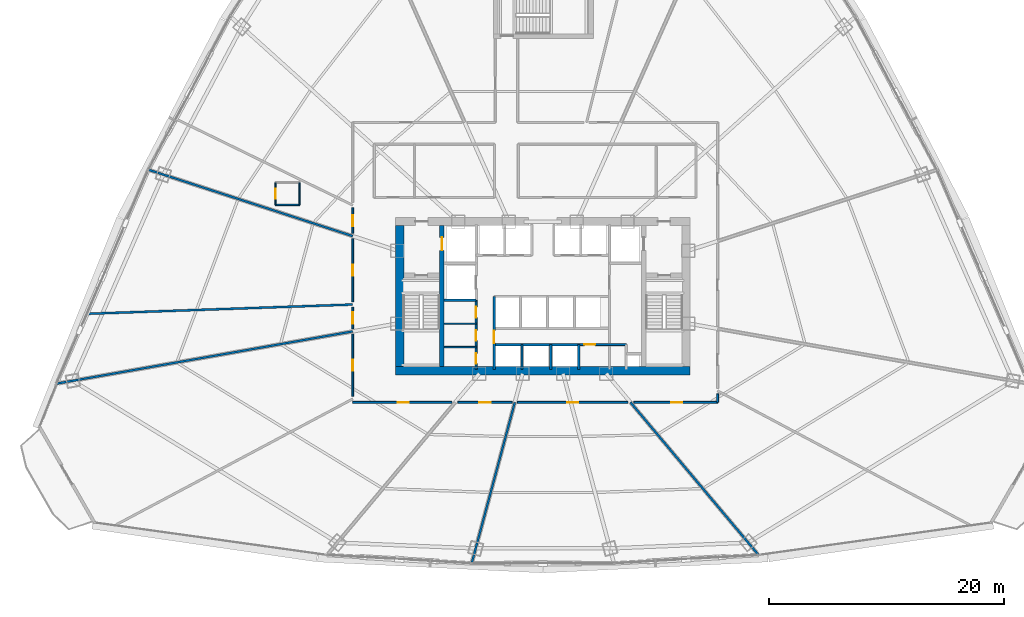
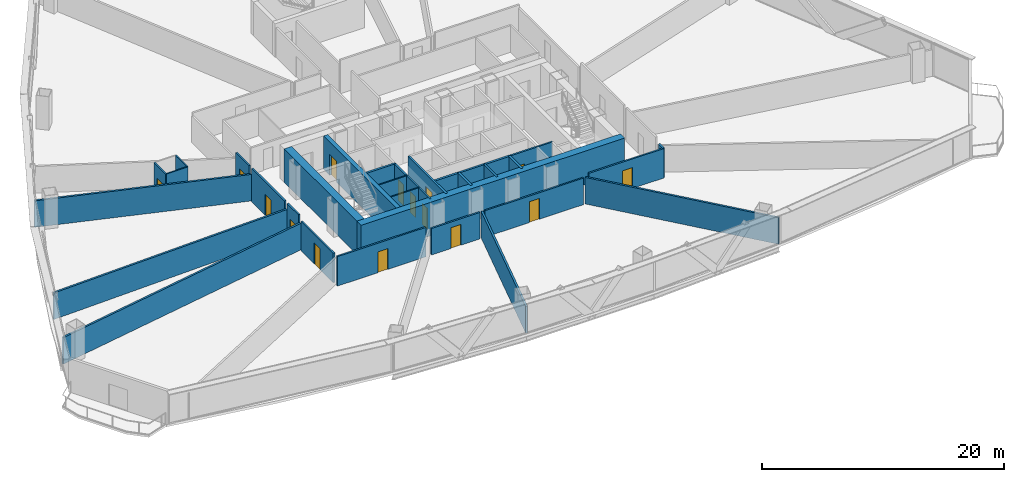
# One storey, part 29 of 37: 30 walls, 15 doors, 15 openings.
"""IFC4 building model written with IfcOpenShell, lengths in metres."""

from ifc_helpers import new_model, si_unit, direction, frame, frame_2d, origin, origin_with_axes, place, context, subcontext, project, spatial, rectangle, extrude, source, transform, mapped, material, layer, layer_set, type_object, element, fill, save


model = new_model("IFC4")

# Units and contexts
model_context = context("Model", 3, precision=1e-05, world=origin(), true_north=direction((0.0, 1.0)))
body_context = subcontext(model_context, "Body", "Model", "MODEL_VIEW")
ifc_project = project(units=[si_unit("LENGTHUNIT", "METRE"), si_unit("AREAUNIT", "SQUARE_METRE"), si_unit("VOLUMEUNIT", "CUBIC_METRE"), si_unit("PLANEANGLEUNIT", "RADIAN"), si_unit("MASSUNIT", "GRAM", prefix="KILO"), si_unit("THERMODYNAMICTEMPERATUREUNIT", "KELVIN"), si_unit("POWERUNIT", "WATT")], contexts=[model_context])

# Site, building, storey
site_placement = place(None, origin())
site = spatial("IfcSite", under=ifc_project, at=site_placement, CompositionType="ELEMENT")
building_placement = place(site_placement, origin())
building = spatial("IfcBuilding", under=site, at=building_placement, Name="Yunzhuo Pagoda Commons", CompositionType="ELEMENT")
storey_placement = place(building_placement, frame((0.0, 0.0, 55.81005859375)))
storey = spatial("IfcBuildingStorey", under=building, at=storey_placement, Name="L14", CompositionType="ELEMENT", Elevation=55.81005859375)

# Walls
ifc_material_1 = material(Name="Concrete C60", Category="concrete")
ifc_layer_1 = layer(ifc_material_1, 0.699951171875)
ifc_layer_set_1 = layer_set([ifc_layer_1], Name="Concrete C60")
wall_type_1 = type_object("IfcWallType", Name="W-C01 Lower Core Shear Wall 700", PredefinedType="SHEAR", material=ifc_layer_set_1)
wall_1_placement = place(storey_placement, frame((35.449951171875, 27.5, 0.0), z_axis=(0.0, 0.0, 1.0), x_axis=(1.0, 0.0, 0.0)))
element("IfcWall", 1, at=wall_1_placement, inside=storey, type_object=wall_type_1, Name="L14 core shear wall S", PredefinedType="SHEAR", context=body_context, shape_type="SweptSolid", body=[
    extrude(rectangle(XDim=25.10009765625, YDim=0.699951171875, at=frame_2d((12.550048828125, 0.0))), origin(), (0.0, 0.0, 1.0), 3.369873046875),
])
wall_2_placement = place(storey_placement, frame((35.800048828125, 27.85009765625, 0.0), z_axis=(0.0, 0.0, 1.0), x_axis=(0.0, 1.0, 0.0)))
element("IfcWall", 2, at=wall_2_placement, inside=storey, type_object=wall_type_1, Name="L14 core shear wall W", PredefinedType="SHEAR", context=body_context, shape_type="SweptSolid", body=[
    extrude(rectangle(XDim=12.0, YDim=0.699951171875, at=frame_2d((6.0, 0.0))), origin(), (0.0, 0.0, 1.0), 3.369873046875),
])

# Wall, openings, doors
ifc_material_2 = material(Name="Gypsum plasterboard on acoustic stud")
ifc_layer_2 = layer(ifc_material_2, 0.159912109375)
ifc_layer_set_2 = layer_set([ifc_layer_2], Name="Gypsum plasterboard on acoustic stud")
wall_type_2 = type_object("IfcWallType", Name="W-COR1 Tower Rated Corridor Wall 160", PredefinedType="PARTITIONING", material=ifc_layer_set_2)
wall_3_placement = place(storey_placement, frame((42.320068359375, 27.60009765625, 0.0), z_axis=(0.0, 0.0, 1.0), x_axis=(0.0, 1.0, 0.0)))
wall_3 = element("IfcWall", 3, at=wall_3_placement, inside=storey, type_object=wall_type_2, Name="L14 interior wall IW-L14-CSWE", PredefinedType="PARTITIONING", context=body_context, shape_type="SweptSolid", body=[
    extrude(rectangle(XDim=5.89990234375, YDim=0.159912109375, at=frame_2d((2.949951171875, 0.0))), origin(), (0.0, 0.0, 1.0), 3.369873046875),
])
opening_1_placement = place(wall_3_placement, frame((0.5, 0.0, 0.0)))
opening_1 = element("IfcOpeningElement", 4, at=opening_1_placement, cuts=wall_3, Name="Opening D-03", PredefinedType="OPENING", context=body_context, shape_type="SweptSolid", body=[
    extrude(rectangle(XDim=0.89990234375, YDim=2.10009765625, at=frame_2d((0.449951171875, 1.050048828125))), frame((0.0, 0.08984375, 0.0), z_axis=(0.0, -1.0, 0.0), x_axis=(1.0, 0.0, 0.0)), (0.0, 0.0, 1.0), 0.179931640625),
])
opening_2_placement = place(wall_3_placement, frame((2.449951171875, 0.0, 0.0)))
opening_2 = element("IfcOpeningElement", 5, at=opening_2_placement, cuts=wall_3, Name="Opening D-03", PredefinedType="OPENING", context=body_context, shape_type="SweptSolid", body=[
    extrude(rectangle(XDim=0.89990234375, YDim=2.10009765625, at=frame_2d((0.449951171875, 1.050048828125))), frame((0.0, 0.08984375, 0.0), z_axis=(0.0, -1.0, 0.0), x_axis=(1.0, 0.0, 0.0)), (0.0, 0.0, 1.0), 0.179931640625),
])
opening_3_placement = place(wall_3_placement, frame((4.419921875, 0.0, 0.0)))
opening_3 = element("IfcOpeningElement", 6, at=opening_3_placement, cuts=wall_3, Name="Opening D-11", PredefinedType="OPENING", context=body_context, shape_type="SweptSolid", body=[
    extrude(rectangle(XDim=0.93994140625, YDim=2.10009765625, at=frame_2d((0.469970703125, 1.050048828125))), frame((0.0, 0.08984375, 0.0), z_axis=(0.0, -1.0, 0.0), x_axis=(1.0, 0.0, 0.0)), (0.0, 0.0, 1.0), 0.179931640625),
])
ifc_material_3 = material(Name="Galvanized fire-resisting metal leaf")
door_type_1 = type_object("IfcDoorType", Name="D-03 Core Service Fire Door 900x2100", OperationType="NOTDEFINED", PredefinedType="DOOR", material=ifc_material_3)
shared_shape_1 = source(origin(), body_context, "Body", "SweptSolid", [
    extrude(rectangle(XDim=0.89990234375, YDim=2.10009765625, at=frame_2d((0.449951171875, 1.050048828125))), frame((0.0, 0.02490234375, 0.0), z_axis=(0.0, -1.0, 0.0), x_axis=(1.0, 0.0, 0.0)), (0.0, 0.0, 1.0), 0.050048828125),
])
door_1_placement = place(opening_1_placement, origin_with_axes())
door_1 = element("IfcDoor", 7, at=door_1_placement, inside=storey, type_object=door_type_1, Name="L14 switch door", OperationType="SINGLE_SWING_RIGHT", OverallHeight=2.10009765625, OverallWidth=0.89990234375, PredefinedType="DOOR", context=body_context, shape_type="MappedRepresentation", body=[
    mapped(shared_shape_1, transform((0.0, 0.0, 0.0), scale=1.0)),
])
fill(opening_1, door_1)
door_2_placement = place(opening_2_placement, origin_with_axes())
door_2 = element("IfcDoor", 8, at=door_2_placement, inside=storey, type_object=door_type_1, Name="L14 cleaner door", OperationType="SINGLE_SWING_RIGHT", OverallHeight=2.10009765625, OverallWidth=0.89990234375, PredefinedType="DOOR", context=body_context, shape_type="MappedRepresentation", body=[
    mapped(shared_shape_1, transform((0.0, 0.0, 0.0), scale=1.0)),
])
fill(opening_2, door_2)
door_type_2 = type_object("IfcDoorType", Name="D-11 Accessible Washroom Fire Door 940x2100", OperationType="NOTDEFINED", PredefinedType="DOOR", material=ifc_material_3)
shared_shape_2 = source(origin(), body_context, "Body", "SweptSolid", [
    extrude(rectangle(XDim=0.93994140625, YDim=2.10009765625, at=frame_2d((0.469970703125, 1.050048828125))), frame((0.0, 0.02490234375, 0.0), z_axis=(0.0, -1.0, 0.0), x_axis=(1.0, 0.0, 0.0)), (0.0, 0.0, 1.0), 0.050048828125),
])
door_3_placement = place(opening_3_placement, origin_with_axes())
door_3 = element("IfcDoor", 9, at=door_3_placement, inside=storey, type_object=door_type_2, Name="L14 core WC door", OperationType="SINGLE_SWING_LEFT", OverallHeight=2.10009765625, OverallWidth=0.93994140625, PredefinedType="DOOR", context=body_context, shape_type="MappedRepresentation", body=[
    mapped(shared_shape_2, transform((0.0, 0.0, 0.0), scale=1.0)),
])
fill(opening_3, door_3)

# Wall, opening, door
wall_4_placement = place(storey_placement, frame((51.050048828125, 29.719970703125, 0.0), z_axis=(0.0, 0.0, 1.0), x_axis=(1.0, 0.0, 0.0)))
wall_4 = element("IfcWall", 10, at=wall_4_placement, inside=storey, type_object=wall_type_2, Name="L14 interior wall IW-L14-CSES", PredefinedType="PARTITIONING", context=body_context, shape_type="SweptSolid", body=[
    extrude(rectangle(XDim=4.070068359375, YDim=0.159912109375, at=frame_2d((2.03515625, 0.0))), origin(), (0.0, 0.0, 1.0), 3.369873046875),
])
opening_4_placement = place(wall_4_placement, frame((0.5, 0.0, 0.0)))
opening_4 = element("IfcOpeningElement", 11, at=opening_4_placement, cuts=wall_4, Name="Opening D-03", PredefinedType="OPENING", context=body_context, shape_type="SweptSolid", body=[
    extrude(rectangle(XDim=0.89990234375, YDim=2.10009765625, at=frame_2d((0.449951171875, 1.050048828125))), frame((0.0, 0.08984375, 0.0), z_axis=(0.0, -1.0, 0.0), x_axis=(1.0, 0.0, 0.0)), (0.0, 0.0, 1.0), 0.179931640625),
])
door_4_placement = place(opening_4_placement, origin_with_axes())
door_4 = element("IfcDoor", 12, at=door_4_placement, inside=storey, type_object=door_type_1, Name="L14 core pantry door", OperationType="SINGLE_SWING_RIGHT", OverallHeight=2.10009765625, OverallWidth=0.89990234375, PredefinedType="DOOR", context=body_context, shape_type="MappedRepresentation", body=[
    mapped(shared_shape_1, transform((0.0, 0.0, 0.0), scale=1.0)),
])
fill(opening_4, door_4)

wall_5_placement = place(storey_placement, frame((31.800048828125, 25.306396484375, 0.0), z_axis=(0.0, 0.0, 1.0), x_axis=(0.0, 1.0, 0.0)))
wall_5 = element("IfcWall", 13, at=wall_5_placement, inside=storey, type_object=wall_type_2, Name="L14 interior wall IW-L14-CWL01", PredefinedType="PARTITIONING", context=body_context, shape_type="SweptSolid", body=[
    extrude(rectangle(XDim=5.313720703125, YDim=0.159912109375, at=frame_2d((2.65673828125, 0.0))), origin(), (0.0, 0.0, 1.0), 2.969970703125),
])
opening_5_placement = place(wall_5_placement, frame((2.18359375, 0.0, 0.0)))
opening_5 = element("IfcOpeningElement", 14, at=opening_5_placement, cuts=wall_5, Name="Opening D-06", PredefinedType="OPENING", context=body_context, shape_type="SweptSolid", body=[
    extrude(rectangle(XDim=0.949951171875, YDim=2.10009765625, at=frame_2d((0.47509765625, 1.050048828125))), frame((0.0, 0.08984375, 0.0), z_axis=(0.0, -1.0, 0.0), x_axis=(1.0, 0.0, 0.0)), (0.0, 0.0, 1.0), 0.179931640625),
])
door_type_3 = type_object("IfcDoorType", Name="D-06 Co-Living Suite Entrance Fire Door 950x2100", OperationType="NOTDEFINED", PredefinedType="DOOR", material=ifc_material_3)
shared_shape_3 = source(origin(), body_context, "Body", "SweptSolid", [
    extrude(rectangle(XDim=0.949951171875, YDim=2.10009765625, at=frame_2d((0.47509765625, 1.050048828125))), frame((0.0, 0.02490234375, 0.0), z_axis=(0.0, -1.0, 0.0), x_axis=(1.0, 0.0, 0.0)), (0.0, 0.0, 1.0), 0.050048828125),
])
door_5_placement = place(opening_5_placement, origin_with_axes())
door_5 = element("IfcDoor", 15, at=door_5_placement, inside=storey, type_object=door_type_3, Name="L14 unit 09 entrance door", OperationType="SINGLE_SWING_LEFT", OverallHeight=2.10009765625, OverallWidth=0.949951171875, PredefinedType="DOOR", context=body_context, shape_type="MappedRepresentation", body=[
    mapped(shared_shape_3, transform((0.0, 0.0, 0.0), scale=1.0)),
])
fill(opening_5, door_5)

wall_6_placement = place(storey_placement, frame((31.800048828125, 31.063232421875, 0.0), z_axis=(0.0, 0.0, 1.0), x_axis=(0.0, 1.0, 0.0)))
wall_6 = element("IfcWall", 16, at=wall_6_placement, inside=storey, type_object=wall_type_2, Name="L14 interior wall IW-L14-CWL02", PredefinedType="PARTITIONING", context=body_context, shape_type="SweptSolid", body=[
    extrude(rectangle(XDim=1.85107421875, YDim=0.159912109375, at=frame_2d((0.925537109375, 0.0))), origin(), (0.0, 0.0, 1.0), 3.369873046875),
])
opening_6_placement = place(wall_6_placement, frame((0.45068359375, 0.0, 0.0)))
opening_6 = element("IfcOpeningElement", 17, at=opening_6_placement, cuts=wall_6, Name="Opening D-06", PredefinedType="OPENING", context=body_context, shape_type="SweptSolid", body=[
    extrude(rectangle(XDim=0.949951171875, YDim=2.10009765625, at=frame_2d((0.47509765625, 1.050048828125))), frame((0.0, 0.08984375, 0.0), z_axis=(0.0, -1.0, 0.0), x_axis=(1.0, 0.0, 0.0)), (0.0, 0.0, 1.0), 0.179931640625),
])
door_6_placement = place(opening_6_placement, origin_with_axes())
door_6 = element("IfcDoor", 18, at=door_6_placement, inside=storey, type_object=door_type_3, Name="L14 unit 08 entrance door", OperationType="SINGLE_SWING_RIGHT", OverallHeight=2.10009765625, OverallWidth=0.949951171875, PredefinedType="DOOR", context=body_context, shape_type="MappedRepresentation", body=[
    mapped(shared_shape_3, transform((0.0, 0.0, 0.0), scale=1.0)),
])
fill(opening_6, door_6)

wall_7_placement = place(storey_placement, frame((31.800048828125, 33.35400390625, 0.0), z_axis=(0.0, 0.0, 1.0), x_axis=(0.0, 1.0, 0.0)))
wall_7 = element("IfcWall", 19, at=wall_7_placement, inside=storey, type_object=wall_type_2, Name="L14 interior wall IW-L14-CWL03", PredefinedType="PARTITIONING", context=body_context, shape_type="SweptSolid", body=[
    extrude(rectangle(XDim=5.389892578125, YDim=0.159912109375, at=frame_2d((2.69482421875, 0.0))), origin(), (0.0, 0.0, 1.0), 3.369873046875),
])
opening_7_placement = place(wall_7_placement, frame((2.219970703125, 0.0, 0.0)))
opening_7 = element("IfcOpeningElement", 20, at=opening_7_placement, cuts=wall_7, Name="Opening D-06", PredefinedType="OPENING", context=body_context, shape_type="SweptSolid", body=[
    extrude(rectangle(XDim=0.949951171875, YDim=2.10009765625, at=frame_2d((0.47509765625, 1.050048828125))), frame((0.0, 0.08984375, 0.0), z_axis=(0.0, -1.0, 0.0), x_axis=(1.0, 0.0, 0.0)), (0.0, 0.0, 1.0), 0.179931640625),
])
door_7_placement = place(opening_7_placement, origin_with_axes())
door_7 = element("IfcDoor", 21, at=door_7_placement, inside=storey, type_object=door_type_3, Name="L14 unit 07 entrance door", OperationType="SINGLE_SWING_LEFT", OverallHeight=2.10009765625, OverallWidth=0.949951171875, PredefinedType="DOOR", context=body_context, shape_type="MappedRepresentation", body=[
    mapped(shared_shape_3, transform((0.0, 0.0, 0.0), scale=1.0)),
])
fill(opening_7, door_7)

wall_8_placement = place(storey_placement, frame((31.800048828125, 39.195068359375, 0.0), z_axis=(0.0, 0.0, 1.0), x_axis=(0.0, 1.0, 0.0)))
wall_8 = element("IfcWall", 22, at=wall_8_placement, inside=storey, type_object=wall_type_2, Name="L14 interior wall IW-L14-CWL04", PredefinedType="PARTITIONING", context=body_context, shape_type="SweptSolid", body=[
    extrude(rectangle(XDim=2.1865234375, YDim=0.159912109375, at=frame_2d((1.09326171875, 0.0))), origin(), (0.0, 0.0, 1.0), 3.369873046875),
])
opening_8_placement = place(wall_8_placement, frame((0.612548828125, 0.0, 0.0)))
opening_8 = element("IfcOpeningElement", 23, at=opening_8_placement, cuts=wall_8, Name="Opening D-06", PredefinedType="OPENING", context=body_context, shape_type="SweptSolid", body=[
    extrude(rectangle(XDim=0.949951171875, YDim=2.10009765625, at=frame_2d((0.47509765625, 1.050048828125))), frame((0.0, 0.08984375, 0.0), z_axis=(0.0, -1.0, 0.0), x_axis=(1.0, 0.0, 0.0)), (0.0, 0.0, 1.0), 0.179931640625),
])
door_8_placement = place(opening_8_placement, origin_with_axes())
door_8 = element("IfcDoor", 24, at=door_8_placement, inside=storey, type_object=door_type_3, Name="L14 unit 06 entrance door", OperationType="SINGLE_SWING_RIGHT", OverallHeight=2.10009765625, OverallWidth=0.949951171875, PredefinedType="DOOR", context=body_context, shape_type="MappedRepresentation", body=[
    mapped(shared_shape_3, transform((0.0, 0.0, 0.0), scale=1.0)),
])
fill(opening_8, door_8)

# Wall
wall_9_placement = place(storey_placement, frame((62.89990234375, 25.5283203125, 0.0), z_axis=(0.0, 0.0, 1.0), x_axis=(0.0, -1.0, 0.0)))
element("IfcWall", 25, at=wall_9_placement, inside=storey, type_object=wall_type_2, Name="L14 interior wall IW-L14-CWL16", PredefinedType="PARTITIONING", context=body_context, shape_type="SweptSolid", body=[
    extrude(rectangle(XDim=0.728271484375, YDim=0.159912109375, at=frame_2d((0.3642578125, 0.0))), origin(), (0.0, 0.0, 1.0), 2.969970703125),
])

# Wall, opening, door
wall_10_placement = place(storey_placement, frame((62.89990234375, 24.800048828125, 0.0), z_axis=(0.0, 0.0, 1.0), x_axis=(-1.0, 0.0, 0.0)))
wall_10 = element("IfcWall", 26, at=wall_10_placement, inside=storey, type_object=wall_type_2, Name="L14 interior wall IW-L14-CWL17", PredefinedType="PARTITIONING", context=body_context, shape_type="SweptSolid", body=[
    extrude(rectangle(XDim=7.144775390625, YDim=0.159912109375, at=frame_2d((3.572265625, 0.0))), origin(), (0.0, 0.0, 1.0), 2.969970703125),
])
opening_9_placement = place(wall_10_placement, frame((3.010986328125, 0.0, 0.0)))
opening_9 = element("IfcOpeningElement", 27, at=opening_9_placement, cuts=wall_10, Name="Opening D-06", PredefinedType="OPENING", context=body_context, shape_type="SweptSolid", body=[
    extrude(rectangle(XDim=0.949951171875, YDim=2.10009765625, at=frame_2d((0.47509765625, 1.050048828125))), frame((0.0, 0.08984375, 0.0), z_axis=(0.0, -1.0, 0.0), x_axis=(1.0, 0.0, 0.0)), (0.0, 0.0, 1.0), 0.179931640625),
])
door_9_placement = place(opening_9_placement, origin_with_axes())
door_9 = element("IfcDoor", 28, at=door_9_placement, inside=storey, type_object=door_type_3, Name="L14 unit 13 entrance door", OperationType="SINGLE_SWING_LEFT", OverallHeight=2.10009765625, OverallWidth=0.949951171875, PredefinedType="DOOR", context=body_context, shape_type="MappedRepresentation", body=[
    mapped(shared_shape_3, transform((0.0, 0.0, 0.0), scale=1.0)),
])
fill(opening_9, door_9)

wall_11_placement = place(storey_placement, frame((55.248046875, 24.800048828125, 0.0), z_axis=(0.0, 0.0, 1.0), x_axis=(-1.0, 0.0, 0.0)))
wall_11 = element("IfcWall", 29, at=wall_11_placement, inside=storey, type_object=wall_type_2, Name="L14 interior wall IW-L14-CWL18", PredefinedType="PARTITIONING", context=body_context, shape_type="SweptSolid", body=[
    extrude(rectangle(XDim=9.412841796875, YDim=0.159912109375, at=frame_2d((4.70654296875, 0.0))), origin(), (0.0, 0.0, 1.0), 2.669921875),
])
opening_10_placement = place(wall_11_placement, frame((4.2314453125, 0.0, 0.0)))
opening_10 = element("IfcOpeningElement", 30, at=opening_10_placement, cuts=wall_11, Name="Opening D-06", PredefinedType="OPENING", context=body_context, shape_type="SweptSolid", body=[
    extrude(rectangle(XDim=0.949951171875, YDim=2.10009765625, at=frame_2d((0.47509765625, 1.050048828125))), frame((0.0, 0.08984375, 0.0), z_axis=(0.0, -1.0, 0.0), x_axis=(1.0, 0.0, 0.0)), (0.0, 0.0, 1.0), 0.179931640625),
])
door_10_placement = place(opening_10_placement, origin_with_axes())
door_10 = element("IfcDoor", 31, at=door_10_placement, inside=storey, type_object=door_type_3, Name="L14 Academic Reading Commons 2 door", OperationType="SINGLE_SWING_RIGHT", OverallHeight=2.10009765625, OverallWidth=0.949951171875, PredefinedType="DOOR", context=body_context, shape_type="MappedRepresentation", body=[
    mapped(shared_shape_3, transform((0.0, 0.0, 0.0), scale=1.0)),
])
fill(opening_10, door_10)

wall_12_placement = place(storey_placement, frame((45.387451171875, 24.800048828125, 0.0), z_axis=(0.0, 0.0, 1.0), x_axis=(-1.0, 0.0, 0.0)))
wall_12 = element("IfcWall", 32, at=wall_12_placement, inside=storey, type_object=wall_type_2, Name="L14 interior wall IW-L14-CWL19", PredefinedType="PARTITIONING", context=body_context, shape_type="SweptSolid", body=[
    extrude(rectangle(XDim=4.635498046875, YDim=0.159912109375, at=frame_2d((2.31787109375, 0.0))), origin(), (0.0, 0.0, 1.0), 2.669921875),
])
opening_11_placement = place(wall_12_placement, frame((1.8388671875, 0.0, 0.0)))
opening_11 = element("IfcOpeningElement", 33, at=opening_11_placement, cuts=wall_12, Name="Opening D-06", PredefinedType="OPENING", context=body_context, shape_type="SweptSolid", body=[
    extrude(rectangle(XDim=0.949951171875, YDim=2.10009765625, at=frame_2d((0.47509765625, 1.050048828125))), frame((0.0, 0.08984375, 0.0), z_axis=(0.0, -1.0, 0.0), x_axis=(1.0, 0.0, 0.0)), (0.0, 0.0, 1.0), 0.179931640625),
])
door_11_placement = place(opening_11_placement, origin_with_axes())
door_11 = element("IfcDoor", 34, at=door_11_placement, inside=storey, type_object=door_type_3, Name="L14 unit 11 entrance door", OperationType="SINGLE_SWING_LEFT", OverallHeight=2.10009765625, OverallWidth=0.949951171875, PredefinedType="DOOR", context=body_context, shape_type="MappedRepresentation", body=[
    mapped(shared_shape_3, transform((0.0, 0.0, 0.0), scale=1.0)),
])
fill(opening_11, door_11)

wall_13_placement = place(storey_placement, frame((40.244873046875, 24.800048828125, 0.0), z_axis=(0.0, 0.0, 1.0), x_axis=(-1.0, 0.0, 0.0)))
wall_13 = element("IfcWall", 35, at=wall_13_placement, inside=storey, type_object=wall_type_2, Name="L14 interior wall IW-L14-CWL20", PredefinedType="PARTITIONING", context=body_context, shape_type="SweptSolid", body=[
    extrude(rectangle(XDim=8.44482421875, YDim=0.159912109375, at=frame_2d((4.222412109375, 0.0))), origin(), (0.0, 0.0, 1.0), 2.969970703125),
])
opening_12_placement = place(wall_13_placement, frame((3.654052734375, 0.0, 0.0)))
opening_12 = element("IfcOpeningElement", 36, at=opening_12_placement, cuts=wall_13, Name="Opening D-06", PredefinedType="OPENING", context=body_context, shape_type="SweptSolid", body=[
    extrude(rectangle(XDim=0.949951171875, YDim=2.10009765625, at=frame_2d((0.47509765625, 1.050048828125))), frame((0.0, 0.08984375, 0.0), z_axis=(0.0, -1.0, 0.0), x_axis=(1.0, 0.0, 0.0)), (0.0, 0.0, 1.0), 0.179931640625),
])
door_12_placement = place(opening_12_placement, origin_with_axes())
door_12 = element("IfcDoor", 37, at=door_12_placement, inside=storey, type_object=door_type_3, Name="L14 unit 10 entrance door", OperationType="SINGLE_SWING_RIGHT", OverallHeight=2.10009765625, OverallWidth=0.949951171875, PredefinedType="DOOR", context=body_context, shape_type="MappedRepresentation", body=[
    mapped(shared_shape_3, transform((0.0, 0.0, 0.0), scale=1.0)),
])
fill(opening_12, door_12)

# Walls
ifc_layer_3 = layer(ifc_material_2, 0.1201171875)
ifc_layer_set_3 = layer_set([ifc_layer_3], Name="Gypsum plasterboard on acoustic stud")
wall_type_3 = type_object("IfcWallType", Name="W-PRT1 Suite & Bathroom Partition 120", PredefinedType="PARTITIONING", material=ifc_layer_set_3)
for number, where, z_axis, x_axis, name in (
    (38, (39.60009765625, 29.5, 0.0), (0.0, 0.0, 1.0), (1.0, 0.0, 0.0), "L14 interior wall IW-L14-CC1"),
    (39, (39.60009765625, 31.5, 0.0), (0.0, 0.0, 1.0), (1.0, 0.0, 0.0), "L14 interior wall IW-L14-CC2"),
):
    element("IfcWall", number, at=place(storey_placement, frame(where, z_axis=z_axis, x_axis=x_axis)), inside=storey, type_object=wall_type_3, Name=name, PredefinedType="PARTITIONING", context=body_context, shape_type="SweptSolid", body=[
        extrude(rectangle(XDim=2.719970703125, YDim=0.1201171875, at=frame_2d((1.35986328125, 0.0))), origin(), (0.0, 0.0, 1.0), 3.369873046875),
    ])
wall_14_placement = place(storey_placement, frame((25.218017578125, 41.631103515625, 0.0), z_axis=(0.0, 0.0, 1.0), x_axis=(1.0, 0.0, 0.0)))
element("IfcWall", 40, at=wall_14_placement, inside=storey, type_object=wall_type_3, Name="L14 interior wall IW-L14-B06S", PredefinedType="PARTITIONING", context=body_context, shape_type="SweptSolid", body=[
    extrude(rectangle(XDim=2.050048828125, YDim=0.1201171875, at=frame_2d((1.02490234375, 0.0))), origin(), (0.0, 0.0, 1.0), 3.369873046875),
])
wall_15_placement = place(storey_placement, frame((27.26806640625, 41.631103515625, 0.0), z_axis=(0.0, 0.0, 1.0), x_axis=(0.0, 1.0, 0.0)))
element("IfcWall", 41, at=wall_15_placement, inside=storey, type_object=wall_type_3, Name="L14 interior wall IW-L14-B06E", PredefinedType="PARTITIONING", context=body_context, shape_type="SweptSolid", body=[
    extrude(rectangle(XDim=1.89990234375, YDim=0.1201171875, at=frame_2d((0.949951171875, 0.0))), origin(), (0.0, 0.0, 1.0), 3.369873046875),
])

# Wall, opening, door
wall_16_placement = place(storey_placement, frame((25.218017578125, 43.531005859375, 0.0), z_axis=(0.0, 0.0, 1.0), x_axis=(0.0, -1.0, 0.0)))
wall_16 = element("IfcWall", 42, at=wall_16_placement, inside=storey, type_object=wall_type_3, Name="L14 interior wall IW-L14-B06W", PredefinedType="PARTITIONING", context=body_context, shape_type="SweptSolid", body=[
    extrude(rectangle(XDim=1.89990234375, YDim=0.1201171875, at=frame_2d((0.949951171875, 0.0))), origin(), (0.0, 0.0, 1.0), 3.369873046875),
])
opening_13_placement = place(wall_16_placement, frame((0.52490234375, 0.0, 0.0)))
opening_13 = element("IfcOpeningElement", 43, at=opening_13_placement, cuts=wall_16, Name="Opening D-05", PredefinedType="OPENING", context=body_context, shape_type="SweptSolid", body=[
    extrude(rectangle(XDim=0.85009765625, YDim=2.10009765625, at=frame_2d((0.425048828125, 1.050048828125))), frame((0.0, 0.070068359375, 0.0), z_axis=(0.0, -1.0, 0.0), x_axis=(1.0, 0.0, 0.0)), (0.0, 0.0, 1.0), 0.14013671875),
])
ifc_material_4 = material(Name="Powder-coated aluminium and timber acoustic leaf", Category="wood")
door_type_4 = type_object("IfcDoorType", Name="D-05 En-Suite Bathroom Door 850x2100", OperationType="NOTDEFINED", PredefinedType="DOOR", material=ifc_material_4)
shared_shape_4 = source(origin(), body_context, "Body", "SweptSolid", [
    extrude(rectangle(XDim=0.85009765625, YDim=2.10009765625, at=frame_2d((0.425048828125, 1.050048828125))), frame((0.0, 0.02490234375, 0.0), z_axis=(0.0, -1.0, 0.0), x_axis=(1.0, 0.0, 0.0)), (0.0, 0.0, 1.0), 0.050048828125),
])
door_13_placement = place(opening_13_placement, frame((0.85009765625, 0.0, 0.0), z_axis=(0.0, 0.0, 1.0), x_axis=(-1.0, 0.0, 0.0)))
door_13 = element("IfcDoor", 44, at=door_13_placement, inside=storey, type_object=door_type_4, Name="L14 unit 06 bathroom door", OperationType="SINGLE_SWING_RIGHT", OverallHeight=2.10009765625, OverallWidth=0.85009765625, PredefinedType="DOOR", context=body_context, shape_type="MappedRepresentation", body=[
    mapped(shared_shape_4, transform((0.0, 0.0, 0.0), scale=1.0)),
])
fill(opening_13, door_13)

# Walls
ifc_layer_4 = layer(ifc_material_2, 0.179931640625)
ifc_layer_set_4 = layer_set([ifc_layer_4], Name="Gypsum plasterboard on acoustic stud")
wall_type_4 = type_object("IfcWallType", Name="W-PRT2 Acoustic Unit Demising Wall 180", PredefinedType="PARTITIONING", material=ifc_layer_set_4)
wall_17_placement = place(storey_placement, frame((31.800048828125, 38.963623046875, 0.0), z_axis=(0.0, 0.0, 1.0), x_axis=(-0.951052304058, 0.309029958006, 0.0)))
element("IfcWall", 45, at=wall_17_placement, inside=storey, type_object=wall_type_4, Name="L14 interior wall IW-L14-RAD06", PredefinedType="PARTITIONING", context=body_context, shape_type="SweptSolid", body=[
    extrude(rectangle(XDim=18.298583984375, YDim=0.179931640625, at=frame_2d((9.1494140625, 0.0))), origin(), (0.0, 0.0, 1.0), 2.669921875),
])
wall_18_placement = place(storey_placement, frame((31.800048828125, 33.13427734375, 0.0), z_axis=(0.0, 0.0, 1.0), x_axis=(-0.999390651746, -0.034904515515, 0.0)))
element("IfcWall", 46, at=wall_18_placement, inside=storey, type_object=wall_type_4, Name="L14 interior wall IW-L14-RAD07", PredefinedType="PARTITIONING", context=body_context, shape_type="SweptSolid", body=[
    extrude(rectangle(XDim=22.683349609375, YDim=0.179931640625, at=frame_2d((11.341796875, 0.0))), origin(), (0.0, 0.0, 1.0), 2.669921875),
])
wall_19_placement = place(storey_placement, frame((31.800048828125, 30.843505859375, 0.0), z_axis=(0.0, 0.0, 1.0), x_axis=(-0.984808213418, -0.173645566555, 0.0)))
element("IfcWall", 47, at=wall_19_placement, inside=storey, type_object=wall_type_4, Name="L14 interior wall IW-L14-RAD08", PredefinedType="PARTITIONING", context=body_context, shape_type="SweptSolid", body=[
    extrude(rectangle(XDim=25.60986328125, YDim=0.179931640625, at=frame_2d((12.804931640625, 0.0))), origin(), (0.0, 0.0, 1.0), 2.669921875),
])
wall_20_placement = place(storey_placement, frame((45.615234375, 24.800048828125, 0.0), z_axis=(0.0, 0.0, 1.0), x_axis=(-0.258821679731, -0.965925120339, 0.0)))
element("IfcWall", 48, at=wall_20_placement, inside=storey, type_object=wall_type_4, Name="L14 interior wall IW-L14-RAD11", PredefinedType="PARTITIONING", context=body_context, shape_type="SweptSolid", body=[
    extrude(rectangle(XDim=14.20947265625, YDim=0.179931640625, at=frame_2d((7.104736328125, 0.0))), origin(), (0.0, 0.0, 1.0), 2.669921875),
])
wall_21_placement = place(storey_placement, frame((55.468017578125, 24.800048828125, 0.0), z_axis=(0.0, 0.0, 1.0), x_axis=(0.642791593325, -0.766041100432, 0.0)))
element("IfcWall", 49, at=wall_21_placement, inside=storey, type_object=wall_type_4, Name="L14 interior wall IW-L14-RAD12", PredefinedType="PARTITIONING", context=body_context, shape_type="SweptSolid", body=[
    extrude(rectangle(XDim=16.98779296875, YDim=0.179931640625, at=frame_2d((8.493896484375, 0.0))), origin(), (0.0, 0.0, 1.0), 2.669921875),
])

# Wall, opening, door
ifc_layer_5 = layer(ifc_material_1, 0.39990234375)
ifc_layer_set_5 = layer_set([ifc_layer_5], Name="Concrete C60")
wall_type_5 = type_object("IfcWallType", Name="W-S01 Internal Core Shear Web 400", PredefinedType="SHEAR", material=ifc_layer_set_5)
wall_22_placement = place(storey_placement, frame((39.39990234375, 27.85009765625, 0.0), z_axis=(0.0, 0.0, 1.0), x_axis=(0.0, 1.0, 0.0)))
wall_22 = element("IfcWall", 50, at=wall_22_placement, inside=storey, type_object=wall_type_5, Name="L14 core shear wall WEBW", PredefinedType="SHEAR", context=body_context, shape_type="SweptSolid", body=[
    extrude(rectangle(XDim=12.0, YDim=0.39990234375, at=frame_2d((6.0, 0.0))), origin(), (0.0, 0.0, 1.0), 3.369873046875),
])
opening_14_placement = place(wall_22_placement, frame((9.89990234375, 0.0, 0.0)))
opening_14 = element("IfcOpeningElement", 51, at=opening_14_placement, cuts=wall_22, Name="Opening LD-01", PredefinedType="OPENING", context=body_context, shape_type="SweptSolid", body=[
    extrude(rectangle(XDim=1.10009765625, YDim=2.10009765625, at=frame_2d((0.550048828125, 1.050048828125))), frame((0.0, 0.2099609375, 0.0), z_axis=(0.0, -1.0, 0.0), x_axis=(1.0, 0.0, 0.0)), (0.0, 0.0, 1.0), 0.419921875),
])
door_type_5 = type_object("IfcDoorType", Name="LD-01 Firefighting Lift Landing Door 1100x2100", OperationType="DOUBLE_DOOR_SLIDING", PredefinedType="DOOR", material=ifc_material_3)
shared_shape_5 = source(origin(), body_context, "Body", "SweptSolid", [
    extrude(rectangle(XDim=1.10009765625, YDim=2.10009765625, at=frame_2d((0.550048828125, 1.050048828125))), frame((0.0, 0.02490234375, 0.0), z_axis=(0.0, -1.0, 0.0), x_axis=(1.0, 0.0, 0.0)), (0.0, 0.0, 1.0), 0.050048828125),
])
door_14_placement = place(opening_14_placement, frame((1.10009765625, 0.0, 0.0), z_axis=(0.0, 0.0, 1.0), x_axis=(-1.0, 0.0, 0.0)))
door_14 = element("IfcDoor", 52, at=door_14_placement, inside=storey, type_object=door_type_5, Name="L14 Firefighting lift FL-1 landing door", OperationType="DOUBLE_DOOR_SLIDING", OverallHeight=2.10009765625, OverallWidth=1.10009765625, PredefinedType="DOOR", context=body_context, shape_type="MappedRepresentation", body=[
    mapped(shared_shape_5, transform((0.0, 0.0, 0.0), scale=1.0)),
])
fill(opening_14, door_14)

# Wall
ifc_material_5 = material(Name="Concrete C40", Category="concrete")
ifc_layer_6 = layer(ifc_material_5, 0.199951171875)
ifc_layer_set_6 = layer_set([ifc_layer_6], Name="Concrete C40")
wall_type_6 = type_object("IfcWallType", Name="W-SHF Shaft & Stair Enclosure Wall 200", PredefinedType="SOLIDWALL", material=ifc_layer_set_6)
wall_23_placement = place(storey_placement, frame((39.60009765625, 33.5, 0.0), z_axis=(0.0, 0.0, 1.0), x_axis=(1.0, 0.0, 0.0)))
element("IfcWall", 53, at=wall_23_placement, inside=storey, type_object=wall_type_6, Name="L14 interior wall IW-L14-SL1S", PredefinedType="SOLIDWALL", context=body_context, shape_type="SweptSolid", body=[
    extrude(rectangle(XDim=2.719970703125, YDim=0.199951171875, at=frame_2d((1.35986328125, 0.0))), origin(), (0.0, 0.0, 1.0), 3.369873046875),
])

# Wall, opening, door
wall_24_placement = place(storey_placement, frame((43.85009765625, 27.60009765625, 0.0), z_axis=(0.0, 0.0, 1.0), x_axis=(0.0, 1.0, 0.0)))
wall_24 = element("IfcWall", 54, at=wall_24_placement, inside=storey, type_object=wall_type_6, Name="L14 interior wall IW-L14-PLMW", PredefinedType="SOLIDWALL", context=body_context, shape_type="SweptSolid", body=[
    extrude(rectangle(XDim=6.219970703125, YDim=0.199951171875, at=frame_2d((3.10986328125, 0.0))), origin(), (0.0, 0.0, 1.0), 3.369873046875),
])
opening_15_placement = place(wall_24_placement, frame((2.25, 0.0, 0.0)))
opening_15 = element("IfcOpeningElement", 55, at=opening_15_placement, cuts=wall_24, Name="Opening D-02", PredefinedType="OPENING", context=body_context, shape_type="SweptSolid", body=[
    extrude(rectangle(XDim=1.050048828125, YDim=2.10009765625, at=frame_2d((0.52490234375, 1.050048828125))), frame((0.0, 0.10986328125, 0.0), z_axis=(0.0, -1.0, 0.0), x_axis=(1.0, 0.0, 0.0)), (0.0, 0.0, 1.0), 0.219970703125),
])
door_type_6 = type_object("IfcDoorType", Name="D-02 Firefighting Lobby & Refuge Fire Door 1050x2100", OperationType="NOTDEFINED", PredefinedType="DOOR", material=ifc_material_3)
shared_shape_6 = source(origin(), body_context, "Body", "SweptSolid", [
    extrude(rectangle(XDim=1.050048828125, YDim=2.10009765625, at=frame_2d((0.52490234375, 1.050048828125))), frame((0.0, 0.02490234375, 0.0), z_axis=(0.0, -1.0, 0.0), x_axis=(1.0, 0.0, 0.0)), (0.0, 0.0, 1.0), 0.050048828125),
])
door_15_placement = place(opening_15_placement, frame((1.050048828125, 0.0, 0.0), z_axis=(0.0, 0.0, 1.0), x_axis=(-1.0, 0.0, 0.0)))
door_15 = element("IfcDoor", 56, at=door_15_placement, inside=storey, type_object=door_type_6, Name="L14 High-bank hall west door", OperationType="SINGLE_SWING_LEFT", OverallHeight=2.10009765625, OverallWidth=1.050048828125, PredefinedType="DOOR", context=body_context, shape_type="MappedRepresentation", body=[
    mapped(shared_shape_6, transform((0.0, 0.0, 0.0), scale=1.0)),
])
fill(opening_15, door_15)

# Walls
wall_25_placement = place(storey_placement, frame((43.85009765625, 29.719970703125, 0.0), z_axis=(0.0, 0.0, 1.0), x_axis=(1.0, 0.0, 0.0)))
element("IfcWall", 57, at=wall_25_placement, inside=storey, type_object=wall_type_6, Name="L14 interior wall IW-L14-PLHN", PredefinedType="SOLIDWALL", context=body_context, shape_type="SweptSolid", body=[
    extrude(rectangle(XDim=7.199951171875, YDim=0.199951171875, at=frame_2d((3.60009765625, 0.0))), origin(), (0.0, 0.0, 1.0), 3.369873046875),
])
for number, where, z_axis, x_axis, name in (
    (58, (51.050048828125, 27.60009765625, 0.0), (0.0, 0.0, 1.0), (0.0, 1.0, 0.0), "L14 interior wall IW-L14-PLHE"),
    (59, (46.22509765625, 27.60009765625, 0.0), (0.0, 0.0, 1.0), (0.0, 1.0, 0.0), "L14 interior wall IW-L14-PLHD1"),
    (60, (48.675048828125, 27.60009765625, 0.0), (0.0, 0.0, 1.0), (0.0, 1.0, 0.0), "L14 interior wall IW-L14-PLHD2"),
):
    element("IfcWall", number, at=place(storey_placement, frame(where, z_axis=z_axis, x_axis=x_axis)), inside=storey, type_object=wall_type_6, Name=name, PredefinedType="SOLIDWALL", context=body_context, shape_type="SweptSolid", body=[
        extrude(rectangle(XDim=2.119873046875, YDim=0.199951171875, at=frame_2d((1.06005859375, 0.0))), origin(), (0.0, 0.0, 1.0), 3.369873046875),
    ])

save(model, "model.ifc")
